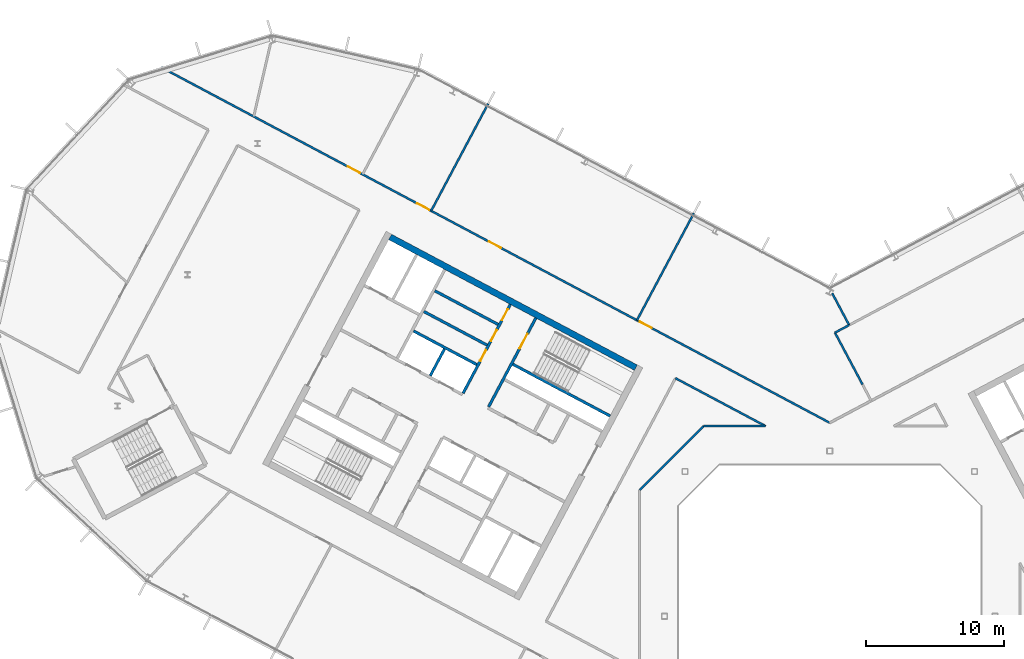
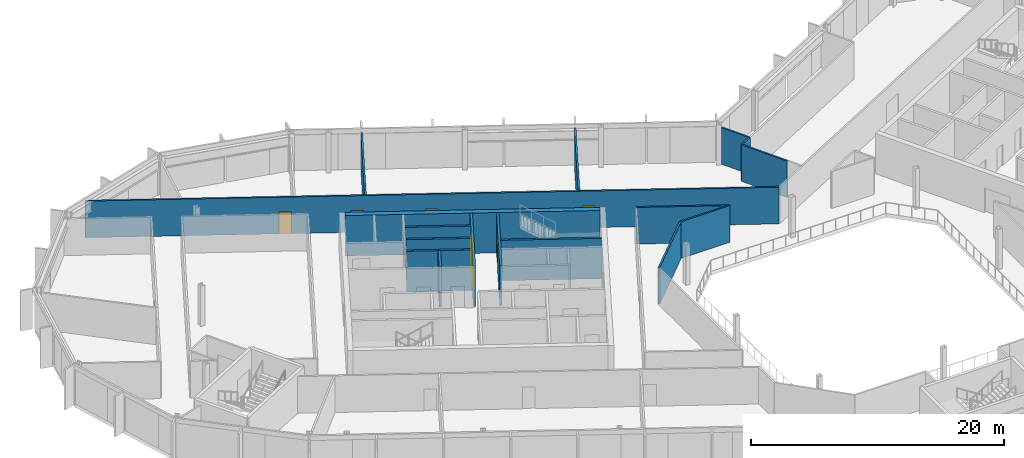
# One storey, part 14 of 25: 17 walls, 8 doors, 8 openings.
"""IFC4 building model written with IfcOpenShell, lengths in metres."""

from ifc_helpers import new_model, si_unit, direction, frame, frame_2d, origin, place, context, subcontext, project, spatial, rectangle, extrude, material, layer, layer_set, type_object, element, fill, save


model = new_model("IFC4")

# Units and contexts
model_context = context("Model", 3, precision=1e-05, world=origin(), true_north=direction((0.0, 1.0)))
body_context = subcontext(model_context, "Body", "Model", "MODEL_VIEW")
ifc_project = project(units=[si_unit("LENGTHUNIT", "METRE"), si_unit("AREAUNIT", "SQUARE_METRE"), si_unit("VOLUMEUNIT", "CUBIC_METRE"), si_unit("PLANEANGLEUNIT", "RADIAN"), si_unit("MASSUNIT", "GRAM", prefix="KILO")], contexts=[model_context])

# Site, building, storey
site_placement = place(None, origin())
site = spatial("IfcSite", under=ifc_project, at=site_placement, CompositionType="ELEMENT")
building_placement = place(site_placement, origin())
building = spatial("IfcBuilding", under=site, at=building_placement, Name="Cormorant Relay Tower", CompositionType="ELEMENT")
storey_placement = place(building_placement, frame((0.0, 0.0, 297.0)))
storey = spatial("IfcBuildingStorey", under=building, at=storey_placement, Name="L67", CompositionType="ELEMENT", Elevation=297.0)

# Walls
ifc_material_1 = material(Name="Concrete 40 MPa", Category="concrete")
ifc_layer_1 = layer(ifc_material_1, 0.199951171875)
ifc_layer_set_1 = layer_set([ifc_layer_1], Name="Core internal wall 200")
wall_type_1 = type_object("IfcWallType", Name="Core internal wall 200", PredefinedType="SOLIDWALL", material=ifc_layer_set_1)
wall_1_placement = place(storey_placement, frame((-27.9658203125, 19.39990234375, 0.0), z_axis=(0.0, 0.0, 1.0), x_axis=(-0.4694473164, -0.882960484464, 0.0)))
element("IfcWall", 1, at=wall_1_placement, inside=storey, type_object=wall_type_1, Name="L67 core A shaft and room wall", PredefinedType="SOLIDWALL", context=body_context, shape_type="SweptSolid", body=[
    extrude(rectangle(XDim=2.199951171875, YDim=0.199951171875, at=frame_2d((1.10009765625, 0.0))), origin(), (0.0, 0.0, 1.0), 3.89990234375),
])
for number, where, z_axis, x_axis, name in (
    (2, (-24.073974609375, 21.181396484375, 0.0), (0.0, 0.0, 1.0), (-0.882953967957, 0.469459572775, 0.0), "L67 core A shaft and room wall"),
    (3, (-24.8720703125, 19.680419921875, 0.0), (0.0, 0.0, 1.0), (-0.882953967957, 0.469459572775, 0.0), "L67 core A shaft and room wall"),
):
    element("IfcWall", number, at=place(storey_placement, frame(where, z_axis=z_axis, x_axis=x_axis)), inside=storey, type_object=wall_type_1, Name=name, PredefinedType="SOLIDWALL", context=body_context, shape_type="SweptSolid", body=[
        extrude(rectangle(XDim=5.199951171875, YDim=0.199951171875, at=frame_2d((2.60009765625, 0.0))), origin(), (0.0, 0.0, 1.0), 3.89990234375),
    ])

# Wall, opening, door
ifc_material_2 = material(Name="Concrete 50 MPa", Category="concrete")
ifc_layer_2 = layer(ifc_material_2, 0.199951171875)
ifc_layer_set_2 = layer_set([ifc_layer_2], Name="Core shaft wall 200")
wall_type_2 = type_object("IfcWallType", Name="Core shaft wall 200", PredefinedType="SHEAR", material=ifc_layer_set_2)
wall_2_placement = place(storey_placement, frame((-21.333251953125, 21.6494140625, 0.0), z_axis=(0.0, 0.0, 1.0), x_axis=(-0.469494272526, -0.882935517501, 0.0)))
wall_2 = element("IfcWall", 4, at=wall_2_placement, inside=storey, type_object=wall_type_2, Name="L67 core A shaft wall", PredefinedType="SHEAR", context=body_context, shape_type="SweptSolid", body=[
    extrude(rectangle(XDim=7.2998046875, YDim=0.199951171875, at=frame_2d((3.64990234375, 0.0))), origin(), (0.0, 0.0, 1.0), 3.89990234375),
])
opening_1_placement = place(wall_2_placement, frame((1.300048828125, 0.0, 0.0)))
opening_1 = element("IfcOpeningElement", 5, at=opening_1_placement, cuts=wall_2, Name="Opening CDB-038", PredefinedType="OPENING", context=body_context, shape_type="SweptSolid", body=[
    extrude(rectangle(XDim=1.199951171875, YDim=2.10009765625, at=frame_2d((0.60009765625, 1.050048828125))), frame((0.0, 0.10986328125, 0.0), z_axis=(0.0, -1.0, 0.0), x_axis=(1.0, 0.0, 0.0)), (0.0, 0.0, 1.0), 0.219970703125),
])
ifc_material_3 = material(Name="Steel fire door", Category="steel")
door_type_1 = type_object("IfcDoorType", Name="Core stair door 1200x2100", OperationType="SINGLE_SWING_LEFT", PredefinedType="DOOR", material=ifc_material_3)
door_1_placement = place(opening_1_placement, origin())
door_1 = element("IfcDoor", 6, at=door_1_placement, inside=storey, type_object=door_type_1, Name="Core stair door 1200x2100", OperationType="SINGLE_SWING_RIGHT", OverallHeight=2.10009765625, OverallWidth=1.199951171875, PredefinedType="DOOR", context=body_context, shape_type="SweptSolid", body=[
    extrude(rectangle(XDim=1.199951171875, YDim=2.10009765625, at=frame_2d((0.60009765625, 1.050048828125))), frame((0.0, 0.02490234375, 0.0), z_axis=(0.0, -1.0, 0.0), x_axis=(1.0, 0.0, 0.0)), (0.0, 0.0, 1.0), 0.050048828125),
])
fill(opening_1, door_1)

# Wall, openings, doors
wall_3_placement = place(storey_placement, frame((-23.1875, 22.635498046875, 0.0), z_axis=(0.0, 0.0, 1.0), x_axis=(-0.469454336211, -0.882956752176, 0.0)))
wall_3 = element("IfcWall", 7, at=wall_3_placement, inside=storey, type_object=wall_type_2, Name="L67 core A shaft wall", PredefinedType="SHEAR", context=body_context, shape_type="SweptSolid", body=[
    extrude(rectangle(XDim=7.300048828125, YDim=0.199951171875, at=frame_2d((3.64990234375, 0.0))), origin(), (0.0, 0.0, 1.0), 3.89990234375),
])
opening_2_placement = place(wall_3_placement, frame((0.39990234375, 0.0, 0.0)))
opening_2 = element("IfcOpeningElement", 8, at=opening_2_placement, cuts=wall_3, Name="Opening CDD-340", PredefinedType="OPENING", context=body_context, shape_type="SweptSolid", body=[
    extrude(rectangle(XDim=0.89990234375, YDim=2.10009765625, at=frame_2d((0.449951171875, 1.050048828125))), frame((0.0, 0.10986328125, 0.0), z_axis=(0.0, -1.0, 0.0), x_axis=(1.0, 0.0, 0.0)), (0.0, 0.0, 1.0), 0.219970703125),
])
opening_3_placement = place(wall_3_placement, frame((2.10009765625, 0.0, 0.0)))
opening_3 = element("IfcOpeningElement", 9, at=opening_3_placement, cuts=wall_3, Name="Opening CDD-341", PredefinedType="OPENING", context=body_context, shape_type="SweptSolid", body=[
    extrude(rectangle(XDim=0.89990234375, YDim=2.10009765625, at=frame_2d((0.449951171875, 1.050048828125))), frame((0.0, 0.10986328125, 0.0), z_axis=(0.0, -1.0, 0.0), x_axis=(1.0, 0.0, 0.0)), (0.0, 0.0, 1.0), 0.219970703125),
])
opening_4_placement = place(wall_3_placement, frame((3.75, 0.0, 0.0)))
opening_4 = element("IfcOpeningElement", 10, at=opening_4_placement, cuts=wall_3, Name="Opening CDD-240", PredefinedType="OPENING", context=body_context, shape_type="SweptSolid", body=[
    extrude(rectangle(XDim=0.89990234375, YDim=2.10009765625, at=frame_2d((0.449951171875, 1.050048828125))), frame((0.0, 0.10986328125, 0.0), z_axis=(0.0, -1.0, 0.0), x_axis=(1.0, 0.0, 0.0)), (0.0, 0.0, 1.0), 0.219970703125),
])
ifc_material_4 = material(Name="Steel fire door", Category="steel")
door_type_2 = type_object("IfcDoorType", Name="Core room door 900x2100", OperationType="SINGLE_SWING_LEFT", PredefinedType="DOOR", material=ifc_material_4)
door_2_placement = place(opening_2_placement, frame((0.89990234375, 0.0, 0.0), z_axis=(0.0, 0.0, 1.0), x_axis=(-1.0, 0.0, 0.0)))
door_2 = element("IfcDoor", 11, at=door_2_placement, inside=storey, type_object=door_type_2, Name="Core room door 900x2100", OperationType="SINGLE_SWING_LEFT", OverallHeight=2.10009765625, OverallWidth=0.89990234375, PredefinedType="DOOR", context=body_context, shape_type="SweptSolid", body=[
    extrude(rectangle(XDim=0.89990234375, YDim=2.10009765625, at=frame_2d((0.449951171875, 1.050048828125))), frame((0.0, 0.02490234375, 0.0), z_axis=(0.0, -1.0, 0.0), x_axis=(1.0, 0.0, 0.0)), (0.0, 0.0, 1.0), 0.050048828125),
])
fill(opening_2, door_2)
door_3_placement = place(opening_3_placement, frame((0.89990234375, 0.0, 0.0), z_axis=(0.0, 0.0, 1.0), x_axis=(-1.0, 0.0, 0.0)))
door_3 = element("IfcDoor", 12, at=door_3_placement, inside=storey, type_object=door_type_2, Name="Core room door 900x2100", OperationType="SINGLE_SWING_RIGHT", OverallHeight=2.10009765625, OverallWidth=0.89990234375, PredefinedType="DOOR", context=body_context, shape_type="SweptSolid", body=[
    extrude(rectangle(XDim=0.89990234375, YDim=2.10009765625, at=frame_2d((0.449951171875, 1.050048828125))), frame((0.0, 0.02490234375, 0.0), z_axis=(0.0, -1.0, 0.0), x_axis=(1.0, 0.0, 0.0)), (0.0, 0.0, 1.0), 0.050048828125),
])
fill(opening_3, door_3)
door_4_placement = place(opening_4_placement, frame((0.89990234375, 0.0, 0.0), z_axis=(0.0, 0.0, 1.0), x_axis=(-1.0, 0.0, 0.0)))
door_4 = element("IfcDoor", 13, at=door_4_placement, inside=storey, type_object=door_type_2, Name="Core room door 900x2100", OperationType="SINGLE_SWING_RIGHT", OverallHeight=2.10009765625, OverallWidth=0.89990234375, PredefinedType="DOOR", context=body_context, shape_type="SweptSolid", body=[
    extrude(rectangle(XDim=0.89990234375, YDim=2.10009765625, at=frame_2d((0.449951171875, 1.050048828125))), frame((0.0, 0.02490234375, 0.0), z_axis=(0.0, -1.0, 0.0), x_axis=(1.0, 0.0, 0.0)), (0.0, 0.0, 1.0), 0.050048828125),
])
fill(opening_4, door_4)

# Walls
wall_4_placement = place(storey_placement, frame((-15.94189453125, 14.53564453125, 0.0), z_axis=(0.0, 0.0, 1.0), x_axis=(-0.882946947542, 0.469472776449, 0.0)))
element("IfcWall", 14, at=wall_4_placement, inside=storey, type_object=wall_type_2, Name="L67 core A shaft wall", PredefinedType="SHEAR", context=body_context, shape_type="SweptSolid", body=[
    extrude(rectangle(XDim=8.000244140625, YDim=0.199951171875, at=frame_2d((4.0, 0.0))), origin(), (0.0, 0.0, 1.0), 3.89990234375),
])
wall_5_placement = place(storey_placement, frame((-25.623046875, 18.267578125, 0.0), z_axis=(0.0, 0.0, 1.0), x_axis=(-0.882953967957, 0.469459572775, 0.0)))
element("IfcWall", 15, at=wall_5_placement, inside=storey, type_object=wall_type_2, Name="L67 core A shaft wall", PredefinedType="SHEAR", context=body_context, shape_type="SweptSolid", body=[
    extrude(rectangle(XDim=5.199951171875, YDim=0.199951171875, at=frame_2d((2.60009765625, 0.0))), origin(), (0.0, 0.0, 1.0), 3.89990234375),
])
ifc_material_5 = material(Name="Concrete 50 MPa", Category="concrete")
ifc_layer_3 = layer(ifc_material_5, 0.449951171875)
ifc_layer_set_3 = layer_set([ifc_layer_3], Name="Core wall 450")
wall_type_3 = type_object("IfcWallType", Name="Core wall 450", PredefinedType="SHEAR", material=ifc_layer_set_3)
wall_6_placement = place(storey_placement, frame((-14.07568359375, 18.04541015625, 0.0), z_axis=(0.0, 0.0, 1.0), x_axis=(-0.882947755831, 0.46947125628, 0.0)))
element("IfcWall", 16, at=wall_6_placement, inside=storey, type_object=wall_type_3, Name="L67 core A wall", PredefinedType="SHEAR", context=body_context, shape_type="SweptSolid", body=[
    extrude(rectangle(XDim=20.2001953125, YDim=0.449951171875, at=frame_2d((10.10009765625, 0.0))), origin(), (0.0, 0.0, 1.0), 3.89990234375),
])

# Wall, openings, doors
ifc_material_6 = material(Name="Gypsum board fire partition")
ifc_layer_4 = layer(ifc_material_6, 0.14990234375)
ifc_layer_set_4 = layer_set([ifc_layer_4], Name="Corridor partition 150 EI 60")
wall_type_4 = type_object("IfcWallType", Name="Corridor partition 150 EI 60", PredefinedType="PARTITIONING", material=ifc_layer_set_4)
wall_7_placement = place(storey_placement, frame((-48.541015625, 39.85400390625, 0.0), z_axis=(0.0, 0.0, 1.0), x_axis=(0.882945008423, -0.469476423372, 0.0)))
wall_7 = element("IfcWall", 17, at=wall_7_placement, inside=storey, type_object=wall_type_4, Name="wall/L67/part/008", PredefinedType="PARTITIONING", context=body_context, shape_type="SweptSolid", body=[
    extrude(rectangle(XDim=54.976318359375, YDim=0.14990234375, at=frame_2d((27.48828125, 0.0))), origin(), (0.0, 0.0, 1.0), 3.5400390625),
])
opening_5_placement = place(wall_7_placement, frame((39.35009765625, 0.0, 0.0)))
opening_5 = element("IfcOpeningElement", 18, at=opening_5_placement, cuts=wall_7, Name="Opening DS-240", PredefinedType="OPENING", context=body_context, shape_type="SweptSolid", body=[
    extrude(rectangle(XDim=1.0, YDim=2.10009765625, at=frame_2d((0.5, 1.050048828125))), frame((0.0, 0.0849609375, 0.0), z_axis=(0.0, -1.0, 0.0), x_axis=(1.0, 0.0, 0.0)), (0.0, 0.0, 1.0), 0.169921875),
])
opening_6_placement = place(wall_7_placement, frame((26.949951171875, 0.0, 0.0)))
opening_6 = element("IfcOpeningElement", 19, at=opening_6_placement, cuts=wall_7, Name="Opening DS-241", PredefinedType="OPENING", context=body_context, shape_type="SweptSolid", body=[
    extrude(rectangle(XDim=1.0, YDim=2.10009765625, at=frame_2d((0.5, 1.050048828125))), frame((0.0, 0.0849609375, 0.0), z_axis=(0.0, -1.0, 0.0), x_axis=(1.0, 0.0, 0.0)), (0.0, 0.0, 1.0), 0.169921875),
])
opening_7_placement = place(wall_7_placement, frame((21.049072265625, 0.0, 0.0)))
opening_7 = element("IfcOpeningElement", 20, at=opening_7_placement, cuts=wall_7, Name="Opening DS-242", PredefinedType="OPENING", context=body_context, shape_type="SweptSolid", body=[
    extrude(rectangle(XDim=1.0, YDim=2.10009765625, at=frame_2d((0.5, 1.050048828125))), frame((0.0, 0.0849609375, 0.0), z_axis=(0.0, -1.0, 0.0), x_axis=(1.0, 0.0, 0.0)), (0.0, 0.0, 1.0), 0.169921875),
])
opening_8_placement = place(wall_7_placement, frame((15.35009765625, 0.0, 0.0)))
opening_8 = element("IfcOpeningElement", 21, at=opening_8_placement, cuts=wall_7, Name="Opening DS-120", PredefinedType="OPENING", context=body_context, shape_type="SweptSolid", body=[
    extrude(rectangle(XDim=1.0, YDim=2.10009765625, at=frame_2d((0.5, 1.050048828125))), frame((0.0, 0.0849609375, 0.0), z_axis=(0.0, -1.0, 0.0), x_axis=(1.0, 0.0, 0.0)), (0.0, 0.0, 1.0), 0.169921875),
])
ifc_material_7 = material(Name="Timber door leaf", Category="wood")
door_type_3 = type_object("IfcDoorType", Name="Suite door 1000x2100", OperationType="SINGLE_SWING_LEFT", PredefinedType="DOOR", material=ifc_material_7)
door_5_placement = place(opening_5_placement, frame((1.0, 0.0, 0.0), z_axis=(0.0, 0.0, 1.0), x_axis=(-1.0, 0.0, 0.0)))
door_5 = element("IfcDoor", 22, at=door_5_placement, inside=storey, type_object=door_type_3, Name="door/L67/013", OperationType="SINGLE_SWING_LEFT", OverallHeight=2.10009765625, OverallWidth=1.0, PredefinedType="DOOR", context=body_context, shape_type="SweptSolid", body=[
    extrude(rectangle(XDim=1.0, YDim=2.10009765625, at=frame_2d((0.5, 1.050048828125))), frame((0.0, 0.02490234375, 0.0), z_axis=(0.0, -1.0, 0.0), x_axis=(1.0, 0.0, 0.0)), (0.0, 0.0, 1.0), 0.050048828125),
])
fill(opening_5, door_5)
door_6_placement = place(opening_6_placement, frame((1.0, 0.0, 0.0), z_axis=(0.0, 0.0, 1.0), x_axis=(-1.0, 0.0, 0.0)))
door_6 = element("IfcDoor", 23, at=door_6_placement, inside=storey, type_object=door_type_3, Name="door/L67/014", OperationType="SINGLE_SWING_LEFT", OverallHeight=2.10009765625, OverallWidth=1.0, PredefinedType="DOOR", context=body_context, shape_type="SweptSolid", body=[
    extrude(rectangle(XDim=1.0, YDim=2.10009765625, at=frame_2d((0.5, 1.050048828125))), frame((0.0, 0.02490234375, 0.0), z_axis=(0.0, -1.0, 0.0), x_axis=(1.0, 0.0, 0.0)), (0.0, 0.0, 1.0), 0.050048828125),
])
fill(opening_6, door_6)
door_7_placement = place(opening_7_placement, frame((1.0, 0.0, 0.0), z_axis=(0.0, 0.0, 1.0), x_axis=(-1.0, 0.0, 0.0)))
door_7 = element("IfcDoor", 24, at=door_7_placement, inside=storey, type_object=door_type_3, Name="door/L67/015", OperationType="SINGLE_SWING_LEFT", OverallHeight=2.10009765625, OverallWidth=1.0, PredefinedType="DOOR", context=body_context, shape_type="SweptSolid", body=[
    extrude(rectangle(XDim=1.0, YDim=2.10009765625, at=frame_2d((0.5, 1.050048828125))), frame((0.0, 0.02490234375, 0.0), z_axis=(0.0, -1.0, 0.0), x_axis=(1.0, 0.0, 0.0)), (0.0, 0.0, 1.0), 0.050048828125),
])
fill(opening_7, door_7)
door_8_placement = place(opening_8_placement, origin())
door_8 = element("IfcDoor", 25, at=door_8_placement, inside=storey, type_object=door_type_3, Name="door/L67/016", OperationType="SINGLE_SWING_RIGHT", OverallHeight=2.10009765625, OverallWidth=1.0, PredefinedType="DOOR", context=body_context, shape_type="SweptSolid", body=[
    extrude(rectangle(XDim=1.0, YDim=2.10009765625, at=frame_2d((0.5, 1.050048828125))), frame((0.0, 0.02490234375, 0.0), z_axis=(0.0, -1.0, 0.0), x_axis=(1.0, 0.0, 0.0)), (0.0, 0.0, 1.0), 0.050048828125),
])
fill(opening_8, door_8)

# Walls
wall_8_placement = place(storey_placement, frame((-11.197998046875, 17.280029296875, 0.0), z_axis=(0.0, 0.0, 1.0), x_axis=(0.88294849999, -0.469469856717, 0.0)))
element("IfcWall", 26, at=wall_8_placement, inside=storey, type_object=wall_type_4, Name="wall/L67/part/047", PredefinedType="PARTITIONING", context=body_context, shape_type="SweptSolid", body=[
    extrude(rectangle(XDim=7.41259765625, YDim=0.14990234375, at=frame_2d((3.706298828125, 0.0))), origin(), (0.0, 0.0, 1.0), 3.5400390625),
])
wall_9_placement = place(storey_placement, frame((-4.653076171875, 13.800048828125, 0.0), z_axis=(0.0, 0.0, 1.0), x_axis=(-1.0, 0.0, 0.0)))
element("IfcWall", 27, at=wall_9_placement, inside=storey, type_object=wall_type_4, Name="wall/L67/part/048", PredefinedType="PARTITIONING", context=body_context, shape_type="SweptSolid", body=[
    extrude(rectangle(XDim=4.5068359375, YDim=0.14990234375, at=frame_2d((2.25341796875, 0.0))), origin(), (0.0, 0.0, 1.0), 3.5400390625),
])
wall_10_placement = place(storey_placement, frame((-9.159912109375, 13.800048828125, 0.0), z_axis=(0.0, 0.0, 1.0), x_axis=(-0.707106781187, -0.707106781187, 0.0)))
element("IfcWall", 28, at=wall_10_placement, inside=storey, type_object=wall_type_4, Name="wall/L67/part/049", PredefinedType="PARTITIONING", context=body_context, shape_type="SweptSolid", body=[
    extrude(rectangle(XDim=6.562255859375, YDim=0.14990234375, at=frame_2d((3.28125, 0.0))), origin(), (0.0, 0.0, 1.0), 3.5400390625),
])
ifc_material_8 = material(Name="Gypsum board partition")
ifc_layer_5 = layer(ifc_material_8, 0.14990234375)
ifc_layer_set_5 = layer_set([ifc_layer_5], Name="Tenant partition 150")
wall_type_5 = type_object("IfcWallType", Name="Tenant partition 150", PredefinedType="PARTITIONING", material=ifc_layer_set_5)
wall_11_placement = place(storey_placement, frame((-24.800048828125, 37.197021484375, 0.0), z_axis=(0.0, 0.0, 1.0), x_axis=(-0.469510830369, -0.882926712794, 0.0)))
element("IfcWall", 29, at=wall_11_placement, inside=storey, type_object=wall_type_5, Name="wall/L67/part/020", PredefinedType="PARTITIONING", context=body_context, shape_type="SweptSolid", body=[
    extrude(rectangle(XDim=8.80029296875, YDim=0.14990234375, at=frame_2d((4.400146484375, 0.0))), origin(), (0.0, 0.0, 1.0), 3.5400390625),
])
wall_12_placement = place(storey_placement, frame((-9.864013671875, 29.2548828125, 0.0), z_axis=(0.0, 0.0, 1.0), x_axis=(-0.469457446168, -0.882955098653, 0.0)))
element("IfcWall", 30, at=wall_12_placement, inside=storey, type_object=wall_type_5, Name="wall/L67/part/021", PredefinedType="PARTITIONING", context=body_context, shape_type="SweptSolid", body=[
    extrude(rectangle(XDim=8.7998046875, YDim=0.14990234375, at=frame_2d((4.39990234375, 0.0))), origin(), (0.0, 0.0, 1.0), 3.5400390625),
])
wall_13_placement = place(storey_placement, frame((0.177978515625, 23.449951171875, 0.0), z_axis=(0.0, 0.0, 1.0), x_axis=(0.469495603372, -0.882934809833, 0.0)))
element("IfcWall", 31, at=wall_13_placement, inside=storey, type_object=wall_type_5, Name="wall/L67/part/028", PredefinedType="PARTITIONING", context=body_context, shape_type="SweptSolid", body=[
    extrude(rectangle(XDim=2.621826171875, YDim=0.14990234375, at=frame_2d((1.31103515625, 0.0))), origin(), (0.0, 0.0, 1.0), 3.5400390625),
])
wall_14_placement = place(storey_placement, frame((2.3798828125, 16.824951171875, 0.0), z_axis=(0.0, 0.0, 1.0), x_axis=(-0.469505616232, 0.882929485478, 0.0)))
element("IfcWall", 32, at=wall_14_placement, inside=storey, type_object=wall_type_5, Name="wall/L67/part/031", PredefinedType="PARTITIONING", context=body_context, shape_type="SweptSolid", body=[
    extrude(rectangle(XDim=4.261962890625, YDim=0.14990234375, at=frame_2d((2.130859375, 0.0))), origin(), (0.0, 0.0, 1.0), 3.5400390625),
])
wall_15_placement = place(storey_placement, frame((1.405029296875, 21.133056640625, 0.0), z_axis=(0.0, 0.0, 1.0), x_axis=(-0.882753784089, -0.469835882704, 0.0)))
element("IfcWall", 33, at=wall_15_placement, inside=storey, type_object=wall_type_5, Name="wall/L67/part/032", PredefinedType="PARTITIONING", context=body_context, shape_type="SweptSolid", body=[
    extrude(rectangle(XDim=1.162353515625, YDim=0.14990234375, at=frame_2d((0.5810546875, 0.0))), origin(), (0.0, 0.0, 1.0), 3.5400390625),
])

save(model, "model.ifc")
